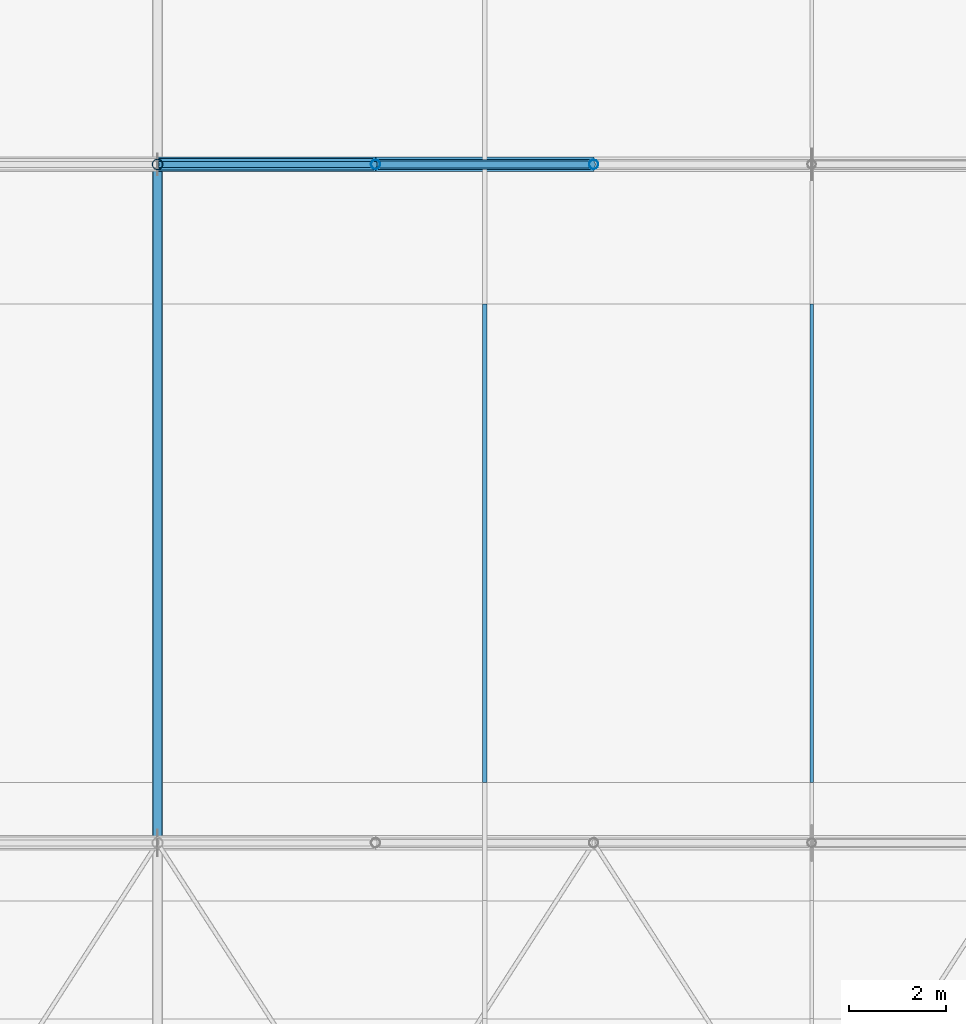
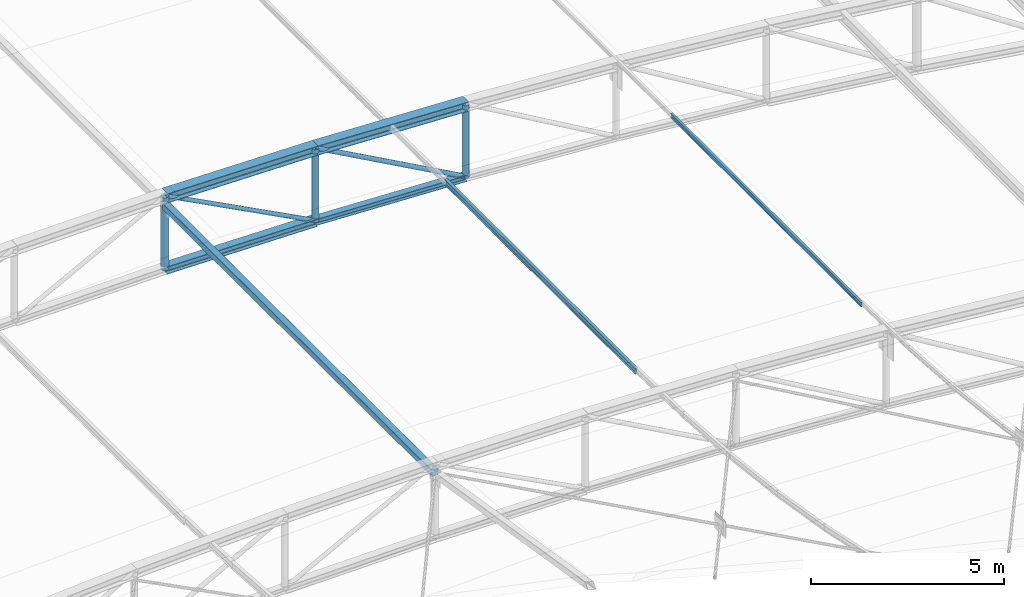
# One storey, part 164 of 262: 12 members.
"""IFC4 building model written with IfcOpenShell, lengths in metres."""

from ifc_helpers import new_model, si_unit, derived_unit, direction, frame, origin, origin_2d, place, context, subcontext, project, spatial, hollow_rectangle, hollow_circle, i_section, extrude, material, material_profile, profile_set, type_object, element, save


model = new_model("IFC4")

# Units and contexts
model_context = context("Model", 3, precision=1e-05, world=origin(), true_north=direction((0.0, 1.0)))
body_context = subcontext(model_context, "Body", "Model", "MODEL_VIEW")
ifc_project = project(units=[si_unit("LENGTHUNIT", "METRE"), si_unit("AREAUNIT", "SQUARE_METRE"), si_unit("VOLUMEUNIT", "CUBIC_METRE"), si_unit("PLANEANGLEUNIT", "RADIAN"), si_unit("MASSUNIT", "GRAM", prefix="KILO"), derived_unit("THERMALTRANSMITTANCEUNIT", [(si_unit("POWERUNIT", "WATT"), 1), (si_unit("LENGTHUNIT", "METRE"), -2), (si_unit("THERMODYNAMICTEMPERATUREUNIT", "KELVIN"), -1)])], contexts=[model_context])

# Site, building, storey
site_placement = place(None, origin())
site = spatial("IfcSite", under=ifc_project, at=site_placement, CompositionType="ELEMENT")
building_placement = place(site_placement, origin())
building = spatial("IfcBuilding", under=site, at=building_placement, Name="Almenara Railside Exhibition Hall", CompositionType="ELEMENT")
storey_placement = place(building_placement, frame((0.0, 0.0, 21.699951171875)))
storey = spatial("IfcBuildingStorey", under=building, at=storey_placement, Name="RF", CompositionType="ELEMENT", Elevation=21.699951171875)

# Members
ifc_material = material(Name="Structural steel S355JR", Category="steel")
ifc_material_profile_1 = material_profile(ifc_material, i_section(OverallWidth=0.239990234375, OverallDepth=0.239990234375, WebThickness=0.010009765625, FlangeThickness=0.01708984375, FilletRadius=0.02099609375, at=origin_2d()), Name="HEB 240")
ifc_profile_set_1 = profile_set([ifc_material_profile_1], Name="Structural steel S355JR")
member_type_1 = type_object("IfcMemberType", Name="Arched Crown Bottom Chord HEB 240 S355JR", PredefinedType="CHORD", material=ifc_profile_set_1)
member_1_placement = place(storey_placement, frame((165.0, 76.0, -7.39990234375), z_axis=(0.999907293085, 0.0, -0.01361635908), x_axis=(0.0, 1.0, 0.0)))
element("IfcMember", 1, at=member_1_placement, inside=storey, type_object=member_type_1, Name="MEM-BC-V2-03-06", PredefinedType="CHORD", context=body_context, shape_type="SweptSolid", body=[
    extrude(i_section(OverallWidth=0.239990234375, OverallDepth=0.239990234375, WebThickness=0.010009765625, FlangeThickness=0.01708984375, FilletRadius=0.02099609375, at=origin_2d()), origin(), (0.0, 0.0, 1.0), 4.50048828125),
])
ifc_material_profile_2 = material_profile(ifc_material, i_section(OverallWidth=0.300048828125, OverallDepth=0.300048828125, WebThickness=0.010986328125, FlangeThickness=0.01904296875, FilletRadius=0.027099609375, at=origin_2d()), Name="HEB 300")
ifc_profile_set_2 = profile_set([ifc_material_profile_2], Name="Structural steel S355JR")
member_type_2 = type_object("IfcMemberType", Name="Arched Inner Top Chord HEB 300 S355JR", PredefinedType="CHORD", material=ifc_profile_set_2)
member_2_placement = place(storey_placement, frame((165.0, 76.0, -5.099853515625), z_axis=(0.999907293085, 0.0, -0.01361635908), x_axis=(0.0, 1.0, 0.0)))
element("IfcMember", 2, at=member_2_placement, inside=storey, type_object=member_type_2, Name="MEM-TC-V2-03-06", PredefinedType="CHORD", context=body_context, shape_type="SweptSolid", body=[
    extrude(i_section(OverallWidth=0.300048828125, OverallDepth=0.300048828125, WebThickness=0.010986328125, FlangeThickness=0.01904296875, FilletRadius=0.027099609375, at=origin_2d()), origin(), (0.0, 0.0, 1.0), 4.50048828125),
])
member_3_placement = place(storey_placement, frame((169.5, 76.0, -5.1611328125), z_axis=(0.99917098071, 0.0, -0.04071057978), x_axis=(0.0, 1.0, 0.0)))
element("IfcMember", 3, at=member_3_placement, inside=storey, type_object=member_type_2, Name="MEM-TC-V2-03-07", PredefinedType="CHORD", context=body_context, shape_type="SweptSolid", body=[
    extrude(i_section(OverallWidth=0.300048828125, OverallDepth=0.300048828125, WebThickness=0.010986328125, FlangeThickness=0.01904296875, FilletRadius=0.027099609375, at=origin_2d()), origin(), (0.0, 0.0, 1.0), 4.503662109375),
])
ifc_material_profile_3 = material_profile(ifc_material, i_section(OverallWidth=0.199951171875, OverallDepth=0.199951171875, WebThickness=0.009033203125, FlangeThickness=0.014892578125, FilletRadius=0.01806640625, at=origin_2d()), Name="HEB 200")
ifc_profile_set_3 = profile_set([ifc_material_profile_3], Name="Structural steel S355JR")
member_type_3 = type_object("IfcMemberType", Name="Canopy Collar Chord HEB 200 S355JR", PredefinedType="CHORD", material=ifc_profile_set_3)
member_4_placement = place(storey_placement, frame((169.5, 76.0, -7.461181640625), z_axis=(0.999173184279, 0.0, -0.040656460949), x_axis=(0.0, 1.0, 0.0)))
element("IfcMember", 4, at=member_4_placement, inside=storey, type_object=member_type_3, Name="MEM-BC-V2-03-07", PredefinedType="CHORD", context=body_context, shape_type="SweptSolid", body=[
    extrude(i_section(OverallWidth=0.199951171875, OverallDepth=0.199951171875, WebThickness=0.009033203125, FlangeThickness=0.014892578125, FilletRadius=0.01806640625, at=origin_2d()), origin(), (0.0, 0.0, 1.0), 4.503662109375),
])
ifc_material_profile_4 = material_profile(ifc_material, i_section(OverallWidth=0.072998046875, OverallDepth=0.139892578125, WebThickness=0.004638671875, FlangeThickness=0.0068359375, FilletRadius=0.007080078125, at=origin_2d()), Name="IPE 140")
ifc_profile_set_4 = profile_set([ifc_material_profile_4], Name="Structural steel S355JR")
member_type_4 = type_object("IfcMemberType", Name="Canopy Edge Purlin IPE 140 S355JR", PredefinedType="PURLIN", material=ifc_profile_set_4)
member_5_placement = place(storey_placement, frame((178.5, 63.240478515625, -5.53076171875), z_axis=(0.0, 1.0, 0.0), x_axis=(-1.0, 0.0, 0.0)))
element("IfcMember", 5, at=member_5_placement, inside=storey, type_object=member_type_4, Name="MEM-PR-V2-PR-IPE140-06-12", PredefinedType="PURLIN", context=body_context, shape_type="SweptSolid", body=[
    extrude(i_section(OverallWidth=0.072998046875, OverallDepth=0.139892578125, WebThickness=0.004638671875, FlangeThickness=0.0068359375, FilletRadius=0.007080078125, at=origin_2d()), origin(), (0.0, 0.0, 1.0), 9.879638671875),
])
ifc_material_profile_5 = material_profile(ifc_material, hollow_rectangle(XDim=0.199951171875, YDim=0.199951171875, WallThickness=0.008056640625, InnerFilletRadius=0.008056640625, OuterFilletRadius=0.01611328125, at=origin_2d()), Name="SHS 200x200x8")
ifc_profile_set_5 = profile_set([ifc_material_profile_5], Name="Structural steel S355JR")
member_type_5 = type_object("IfcMemberType", Name="Eaves Sway Strut SHS 200x200x8 S355JR", PredefinedType="BRACE", material=ifc_profile_set_5)
member_6_placement = place(storey_placement, frame((165.0, 62.0, -5.365234375), z_axis=(0.0, 0.999999452611, -0.001046316392), x_axis=(-1.0, 0.0, 0.0)))
element("IfcMember", 6, at=member_6_placement, inside=storey, type_object=member_type_5, Name="MEM-ES-V2-02", PredefinedType="BRACE", context=body_context, shape_type="SweptSolid", body=[
    extrude(hollow_rectangle(XDim=0.199951171875, YDim=0.199951171875, WallThickness=0.008056640625, InnerFilletRadius=0.008056640625, OuterFilletRadius=0.01611328125, at=origin_2d()), origin(), (0.0, 0.0, 1.0), 14.0),
])
ifc_material_profile_6 = material_profile(ifc_material, i_section(OverallWidth=0.091064453125, OverallDepth=0.179931640625, WebThickness=0.00537109375, FlangeThickness=0.008056640625, FilletRadius=0.009033203125, at=origin_2d()), Name="IPE 180")
ifc_profile_set_6 = profile_set([ifc_material_profile_6], Name="Structural steel S355JR")
member_type_6 = type_object("IfcMemberType", Name="Plenary Roof Purlin IPE 180 S355JR", PredefinedType="PURLIN", material=ifc_profile_set_6)
member_7_placement = place(storey_placement, frame((171.75, 63.240478515625, -5.2744140625), z_axis=(0.0, 1.0, 0.0), x_axis=(-1.0, 0.0, 0.0)))
element("IfcMember", 7, at=member_7_placement, inside=storey, type_object=member_type_6, Name="MEM-PR-V2-PR-IPE180-05-12", PredefinedType="PURLIN", context=body_context, shape_type="SweptSolid", body=[
    extrude(i_section(OverallWidth=0.091064453125, OverallDepth=0.179931640625, WebThickness=0.00537109375, FlangeThickness=0.008056640625, FilletRadius=0.009033203125, at=origin_2d()), origin(), (0.0, 0.0, 1.0), 9.879638671875),
])
ifc_material_profile_7 = material_profile(ifc_material, hollow_circle(Radius=0.0634765625, WallThickness=0.00439453125, at=origin_2d()), Name="CHS 127.0x4.5")
ifc_profile_set_7 = profile_set([ifc_material_profile_7], Name="Structural steel S355JR")
member_type_7 = type_object("IfcMemberType", Name="Truss Crown Diagonal CHS 127.0x4.5 S355JR", PredefinedType="BRACE", material=ifc_profile_set_7)
member_8_placement = place(storey_placement, frame((165.0, 76.0, -5.099853515625), z_axis=(0.885492789601, 0.0, -0.46465311746), x_axis=(0.0, 1.0, 0.0)))
element("IfcMember", 8, at=member_8_placement, inside=storey, type_object=member_type_7, Name="MEM-TD-V2-03-06", PredefinedType="BRACE", context=body_context, shape_type="SweptSolid", body=[
    extrude(hollow_circle(Radius=0.0634765625, WallThickness=0.00439453125, at=origin_2d()), origin(), (0.0, 0.0, 1.0), 5.08203125),
])
ifc_material_profile_8 = material_profile(ifc_material, hollow_circle(Radius=0.06982421875, WallThickness=0.0048828125, at=origin_2d()), Name="CHS 139.7x5")
ifc_profile_set_8 = profile_set([ifc_material_profile_8], Name="Structural steel S355JR")
member_type_8 = type_object("IfcMemberType", Name="Truss Inner Diagonal CHS 139.7x5 S355JR", PredefinedType="BRACE", material=ifc_profile_set_8)
member_9_placement = place(storey_placement, frame((169.5, 76.0, -5.1611328125), z_axis=(0.875545119572, 0.0, -0.483136361283), x_axis=(0.0, 1.0, 0.0)))
element("IfcMember", 9, at=member_9_placement, inside=storey, type_object=member_type_8, Name="MEM-TD-V2-03-07", PredefinedType="BRACE", context=body_context, shape_type="SweptSolid", body=[
    extrude(hollow_circle(Radius=0.06982421875, WallThickness=0.0048828125, at=origin_2d()), origin(), (0.0, 0.0, 1.0), 5.1396484375),
])
ifc_material_profile_9 = material_profile(ifc_material, hollow_circle(Radius=0.109619140625, WallThickness=0.008056640625, at=origin_2d()), Name="CHS 219.1x8")
ifc_profile_set_9 = profile_set([ifc_material_profile_9], Name="Structural steel S355JR")
member_type_9 = type_object("IfcMemberType", Name="Truss Primary Vertical Strut CHS 219.1x8 S355JR", PredefinedType="BRACE", material=ifc_profile_set_9)
member_10_placement = place(storey_placement, frame((165.0, 76.0, -7.39990234375), z_axis=(0.0, 0.0, 1.0), x_axis=(1.0, 0.0, 0.0)))
element("IfcMember", 10, at=member_10_placement, inside=storey, type_object=member_type_9, Name="MEM-TV-V2-03-06", PredefinedType="BRACE", context=body_context, shape_type="SweptSolid", body=[
    extrude(hollow_circle(Radius=0.109619140625, WallThickness=0.008056640625, at=origin_2d()), origin(), (0.0, 0.0, 1.0), 2.300048828125),
])
ifc_material_profile_10 = material_profile(ifc_material, hollow_circle(Radius=0.096923828125, WallThickness=0.00634765625, at=origin_2d()), Name="CHS 193.7x6.3")
ifc_profile_set_10 = profile_set([ifc_material_profile_10], Name="Structural steel S355JR")
member_type_10 = type_object("IfcMemberType", Name="Truss Standard Vertical Strut CHS 193.7x6.3 S355JR", PredefinedType="BRACE", material=ifc_profile_set_10)
member_11_placement = place(storey_placement, frame((169.5, 76.0, -7.461181640625), z_axis=(0.0, 0.0, 1.0), x_axis=(1.0, 0.0, 0.0)))
element("IfcMember", 11, at=member_11_placement, inside=storey, type_object=member_type_10, Name="MEM-TV-V2-03-07", PredefinedType="BRACE", context=body_context, shape_type="SweptSolid", body=[
    extrude(hollow_circle(Radius=0.096923828125, WallThickness=0.00634765625, at=origin_2d()), origin(), (0.0, 0.0, 1.0), 2.300048828125),
])
member_12_placement = place(storey_placement, frame((174.0, 76.0, -7.644287109375), z_axis=(0.0, 0.0, 1.0), x_axis=(1.0, 0.0, 0.0)))
element("IfcMember", 12, at=member_12_placement, inside=storey, type_object=member_type_10, Name="MEM-TV-V2-03-08", PredefinedType="BRACE", context=body_context, shape_type="SweptSolid", body=[
    extrude(hollow_circle(Radius=0.096923828125, WallThickness=0.00634765625, at=origin_2d()), origin(), (0.0, 0.0, 1.0), 2.2998046875),
])

save(model, "model.ifc")
